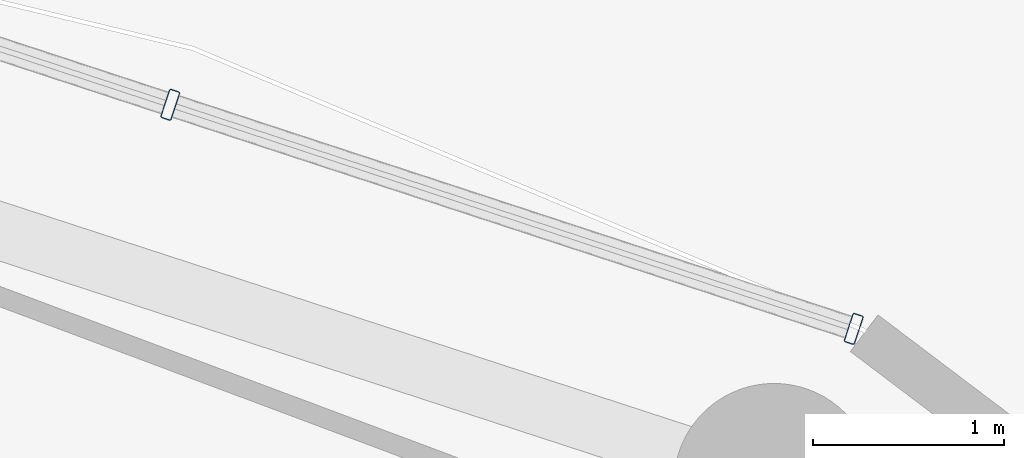
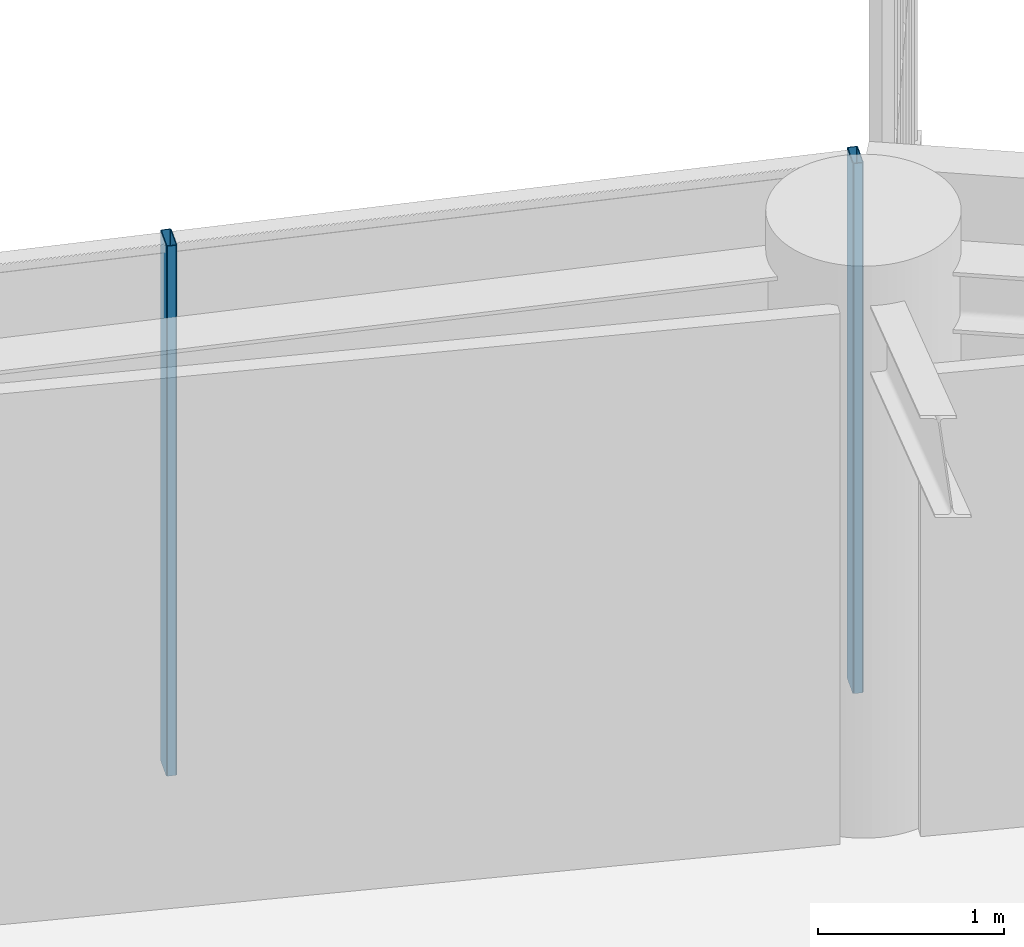
# One storey, part 21 of 30: 2 members, 1 element without a shape of its own.
"""IFC4 building model written with IfcOpenShell, lengths in metres."""

from ifc_helpers import new_model, si_unit, direction, frame, origin, origin_2d, place, context, subcontext, project, spatial, hollow_rectangle, extrude, material, layer, layer_set, material_profile, profile_set, type_object, element, aggregate, save


model = new_model("IFC4")

# Units and contexts
model_context = context("Model", 3, precision=1e-05, world=origin(), true_north=direction((0.0, 1.0)))
body_context = subcontext(model_context, "Body", "Model", "MODEL_VIEW")
ifc_project = project(units=[si_unit("LENGTHUNIT", "METRE"), si_unit("AREAUNIT", "SQUARE_METRE"), si_unit("VOLUMEUNIT", "CUBIC_METRE"), si_unit("PLANEANGLEUNIT", "RADIAN"), si_unit("MASSUNIT", "GRAM", prefix="KILO")], contexts=[model_context])

# Site, building, storey
site_placement = place(None, origin())
site = spatial("IfcSite", under=ifc_project, at=site_placement, CompositionType="ELEMENT")
building_placement = place(site_placement, origin())
building = spatial("IfcBuilding", under=site, at=building_placement, Name="Kelanora Arch Commons", CompositionType="ELEMENT")
storey_placement = place(building_placement, frame((0.0, 0.0, 208.199951171875)))
storey = spatial("IfcBuildingStorey", under=building, at=storey_placement, Name="L53", CompositionType="ELEMENT", Elevation=208.199951171875)

# Curtain wall, members
ifc_material_1 = material(Name="Terracotta ceramic-fritted low-E glass and aluminium", Category="masonry")
ifc_layer = layer(ifc_material_1, 0.175048828125)
ifc_layer_set = layer_set([ifc_layer], Name="Terracotta ceramic-fritted low-E glass and aluminium")
curtain_wall_type = type_object("IfcCurtainWallType", Name="CW-SYS-02", PredefinedType="NOTDEFINED", material=ifc_layer_set)
curtain_wall_placement = place(storey_placement, origin())
curtain_wall = element("IfcCurtainWall", 1, at=curtain_wall_placement, inside=storey, type_object=curtain_wall_type, Name="Unitised Curtain Wall L53-B03", PredefinedType="NOTDEFINED")
ifc_material_2 = material(Name="Powder-coated aluminium terracotta", Category="masonry")
ifc_material_profile = material_profile(ifc_material_2, hollow_rectangle(XDim=0.159912109375, YDim=0.06005859375, WallThickness=0.0048828125, InnerFilletRadius=0.0048828125, OuterFilletRadius=0.010009765625, at=origin_2d()), Name="CWM160x60")
ifc_profile_set = profile_set([ifc_material_profile], Name="Powder-coated aluminium terracotta")
member_type = type_object("IfcMemberType", Name="CWM-STD", PredefinedType="MULLION", material=ifc_profile_set)
member_1_placement = place(storey_placement, frame((85.05712890625, 75.33447265625, 0.0), z_axis=(0.0, 0.0, 1.0), x_axis=(-0.311582439059, -0.950219124029, 0.0)))
member_1 = element("IfcMember", 2, at=member_1_placement, type_object=member_type, Name="CW-02 mullion 1", PredefinedType="MULLION", context=body_context, shape_type="SweptSolid", body=[
    extrude(hollow_rectangle(XDim=0.159912109375, YDim=0.06005859375, WallThickness=0.0048828125, InnerFilletRadius=0.0048828125, OuterFilletRadius=0.010009765625, at=origin_2d()), origin(), (0.0, 0.0, 1.0), 3.47509765625),
])
member_2_placement = place(storey_placement, frame((81.4775390625, 76.50830078125, 0.0), z_axis=(0.0, 0.0, 1.0), x_axis=(-0.311582439059, -0.950219124029, 0.0)))
member_2 = element("IfcMember", 3, at=member_2_placement, type_object=member_type, Name="CW-02 mullion 2", PredefinedType="MULLION", context=body_context, shape_type="SweptSolid", body=[
    extrude(hollow_rectangle(XDim=0.159912109375, YDim=0.06005859375, WallThickness=0.0048828125, InnerFilletRadius=0.0048828125, OuterFilletRadius=0.010009765625, at=origin_2d()), origin(), (0.0, 0.0, 1.0), 3.47509765625),
])
aggregate(curtain_wall, [member_1, member_2])

save(model, "model.ifc")
